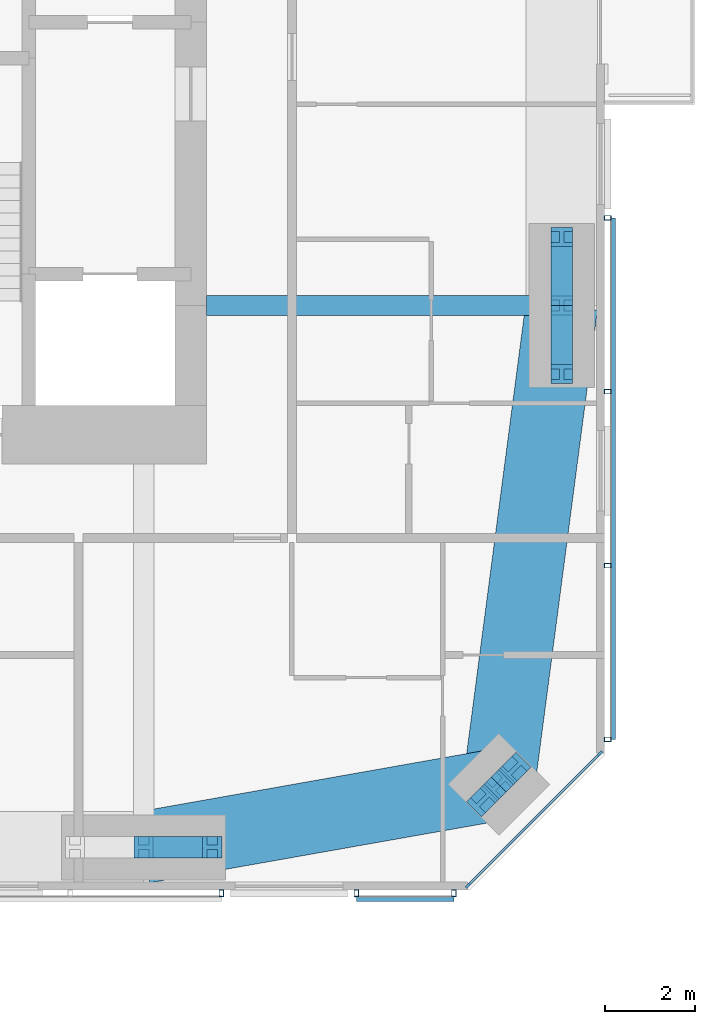
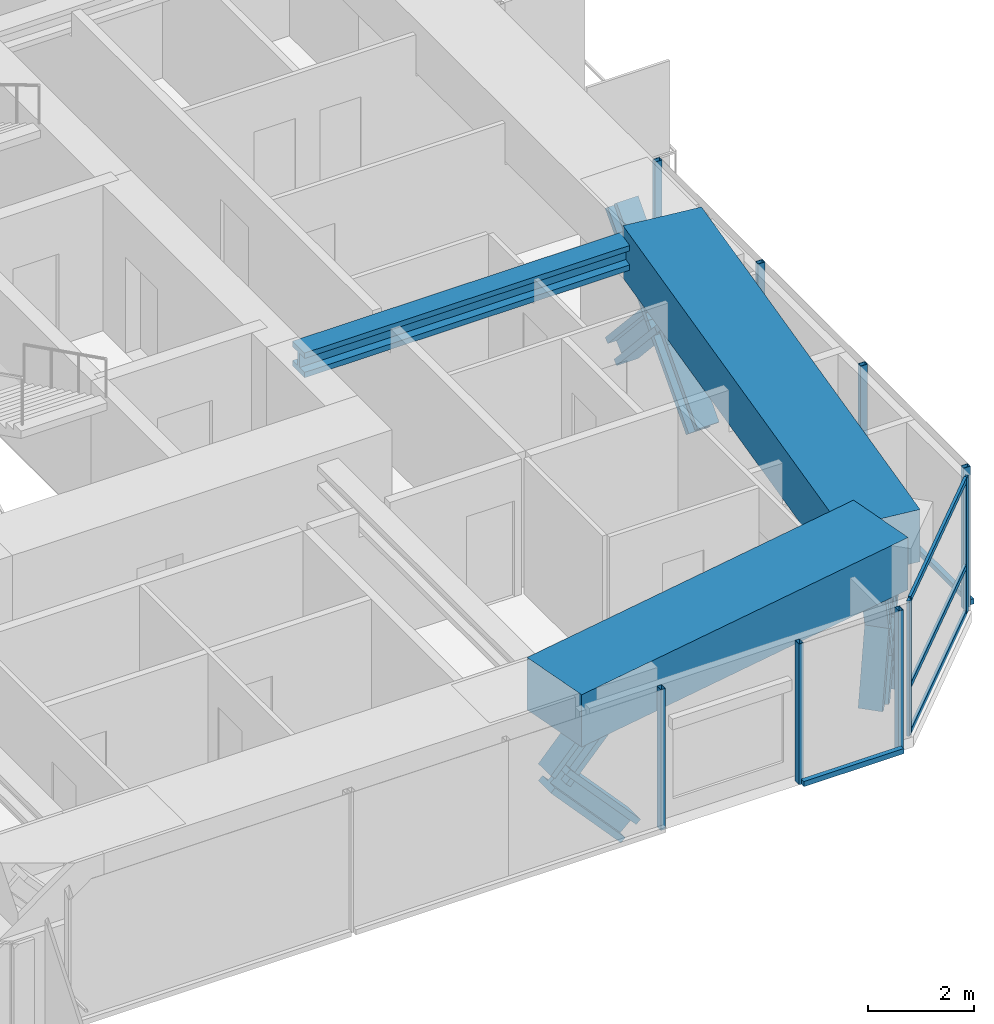
# One storey, part 7 of 23: 24 members, 3 beams, 4 elements without a shape of their own.
"""IFC4 building model written with IfcOpenShell, lengths in metres."""

from ifc_helpers import new_model, si_unit, direction, frame, origin, origin_2d, place, context, subcontext, project, spatial, rectangle, hollow_rectangle, i_section, extrude, material, material_profile, profile_set, type_object, element, aggregate, save


model = new_model("IFC4")

# Units and contexts
model_context = context("Model", 3, precision=1e-05, world=origin(), true_north=direction((0.0, 1.0)))
body_context = subcontext(model_context, "Body", "Model", "MODEL_VIEW")
ifc_project = project(units=[si_unit("LENGTHUNIT", "METRE"), si_unit("AREAUNIT", "SQUARE_METRE"), si_unit("VOLUMEUNIT", "CUBIC_METRE"), si_unit("PLANEANGLEUNIT", "RADIAN"), si_unit("MASSUNIT", "GRAM", prefix="KILO")], contexts=[model_context])

# Site, building, storey
site_placement = place(None, origin())
site = spatial("IfcSite", under=ifc_project, at=site_placement, CompositionType="ELEMENT")
building_placement = place(site_placement, origin())
building = spatial("IfcBuilding", under=site, at=building_placement, Name="Jalousie Tower", CompositionType="ELEMENT")
storey_placement = place(building_placement, frame((0.0, 0.0, 197.89990234375)))
storey = spatial("IfcBuildingStorey", under=building, at=storey_placement, Name="L54", CompositionType="ELEMENT", Elevation=197.89990234375)

# Curtain wall, members
ifc_material_1 = material(Name="Aluminium curtain wall", Category="aluminium")
curtain_wall_type_1 = type_object("IfcCurtainWallType", Name="CORNER WINDOW WALL", PredefinedType="USERDEFINED", material=ifc_material_1)
curtain_wall_1_placement = place(storey_placement, origin())
curtain_wall_1 = element("IfcCurtainWall", 1, at=curtain_wall_1_placement, inside=storey, type_object=curtain_wall_type_1, Name="Corner Window Wall L54 2", ObjectType="CORNER WINDOW WALL", PredefinedType="USERDEFINED")
ifc_material_2 = material(Name="Aluminium mullion", Category="aluminium")
ifc_material_profile_1 = material_profile(ifc_material_2, rectangle(XDim=0.06005859375, YDim=0.14990234375, at=origin_2d()), Name="MULLION 60x150")
ifc_profile_set_1 = profile_set([ifc_material_profile_1], Name="Aluminium mullion")
member_type_1 = type_object("IfcMemberType", Name="CORNER WINDOW WALL MULLION", PredefinedType="MULLION", material=ifc_profile_set_1)
member_1_placement = place(storey_placement, frame((49.969970703125, 0.108642578125, 0.0), z_axis=(0.0, 0.0, 1.0), x_axis=(-0.707106781187, 0.707106781187, 0.0)))
member_1 = element("IfcMember", 2, at=member_1_placement, type_object=member_type_1, Name="CW-C mullion 1", PredefinedType="MULLION", context=body_context, shape_type="SweptSolid", body=[
    extrude(rectangle(XDim=0.06005859375, YDim=0.14990234375, at=origin_2d()), origin(), (0.0, 0.0, 1.0), 3.110107421875),
])
member_2_placement = place(storey_placement, frame((52.891357421875, 3.030029296875, 0.0), z_axis=(0.0, 0.0, 1.0), x_axis=(-0.707106781187, 0.707106781187, 0.0)))
member_2 = element("IfcMember", 3, at=member_2_placement, type_object=member_type_1, Name="CW-C mullion 2", PredefinedType="MULLION", context=body_context, shape_type="SweptSolid", body=[
    extrude(rectangle(XDim=0.06005859375, YDim=0.14990234375, at=origin_2d()), origin(), (0.0, 0.0, 1.0), 3.110107421875),
])
ifc_material_3 = material(Name="Aluminium transom", Category="aluminium")
ifc_material_profile_2 = material_profile(ifc_material_3, rectangle(XDim=0.06005859375, YDim=0.1201171875, at=origin_2d()), Name="TRANSOM 60x120")
ifc_profile_set_2 = profile_set([ifc_material_profile_2], Name="Aluminium transom")
member_type_2 = type_object("IfcMemberType", Name="CORNER WINDOW WALL TRANSOM", PredefinedType="USERDEFINED", material=ifc_profile_set_2)
member_3_placement = place(storey_placement, frame((49.9912109375, 0.1298828125, 0.030029296875), z_axis=(0.707106781187, 0.707106781187, 0.0), x_axis=(-0.707106781187, 0.707106781187, 0.0)))
member_3 = element("IfcMember", 4, at=member_3_placement, type_object=member_type_2, Name="CW-C transom 1.1", ObjectType="TRANSOM", PredefinedType="USERDEFINED", context=body_context, shape_type="SweptSolid", body=[
    extrude(rectangle(XDim=0.06005859375, YDim=0.1201171875, at=origin_2d()), origin(), (0.0, 0.0, 1.0), 4.0712890625),
])
member_4_placement = place(storey_placement, frame((49.9912109375, 0.1298828125, 1.10009765625), z_axis=(0.707106781187, 0.707106781187, 0.0), x_axis=(-0.707106781187, 0.707106781187, 0.0)))
member_4 = element("IfcMember", 5, at=member_4_placement, type_object=member_type_2, Name="CW-C transom 1.2", ObjectType="TRANSOM", PredefinedType="USERDEFINED", context=body_context, shape_type="SweptSolid", body=[
    extrude(rectangle(XDim=0.06005859375, YDim=0.1201171875, at=origin_2d()), origin(), (0.0, 0.0, 1.0), 4.0712890625),
])
member_5_placement = place(storey_placement, frame((49.9912109375, 0.1298828125, 3.080078125), z_axis=(0.707106781187, 0.707106781187, 0.0), x_axis=(-0.707106781187, 0.707106781187, 0.0)))
member_5 = element("IfcMember", 6, at=member_5_placement, type_object=member_type_2, Name="CW-C transom 1.3", ObjectType="TRANSOM", PredefinedType="USERDEFINED", context=body_context, shape_type="SweptSolid", body=[
    extrude(rectangle(XDim=0.06005859375, YDim=0.1201171875, at=origin_2d()), origin(), (0.0, 0.0, 1.0), 4.0712890625),
])
aggregate(curtain_wall_1, [member_1, member_2, member_3, member_4, member_5])

# Beam
ifc_material_4 = material(Name="Steel ASTM A992 Grade 50", Category="steel")
ifc_material_profile_3 = material_profile(ifc_material_4, i_section(OverallWidth=0.45458984375, OverallDepth=0.569091796875, WebThickness=0.077880859375, FlangeThickness=0.124755859375, at=origin_2d()), Name="W14X730")
ifc_profile_set_3 = profile_set([ifc_material_profile_3], Name="Steel ASTM A992 Grade 50")
beam_type_1 = type_object("IfcBeamType", Name="LEAN COLLECTOR W14X730", PredefinedType="BEAM", material=ifc_profile_set_3)
beam_1_placement = place(storey_placement, frame((52.050048828125, 13.0, 2.82568359375), z_axis=(-1.0, 0.0, 0.0), x_axis=(0.0, -1.0, 0.0)))
element("IfcBeam", 7, at=beam_1_placement, inside=storey, type_object=beam_type_1, Name="Lean collector under L55", PredefinedType="BEAM", context=body_context, shape_type="SweptSolid", body=[
    extrude(i_section(OverallWidth=0.45458984375, OverallDepth=0.569091796875, WebThickness=0.077880859375, FlangeThickness=0.124755859375, at=origin_2d()), origin(), (0.0, 0.0, 1.0), 7.900146484375),
])

# Members
ifc_material_5 = material(Name="Steel ASTM A992 Grade 50", Category="steel")
ifc_material_profile_4 = material_profile(ifc_material_5, i_section(OverallWidth=0.472412109375, OverallDepth=0.5791015625, WebThickness=0.094970703125, FlangeThickness=0.1298828125, at=origin_2d()), Name="W14X808")
ifc_profile_set_4 = profile_set([ifc_material_profile_4], Name="Steel ASTM A992 Grade 50")
member_type_3 = type_object("IfcMemberType", Name="PERIMETER BRACE W14X808", PredefinedType="BRACE", material=ifc_profile_set_4)
for number, where, z_axis, x_axis, name in (
    (8, (42.75, 0.949951171875, 1.0751953125), (0.673241284601, 0.0, 0.739422864611), (0.0, 1.0, 0.0), "Perimeter brace 04 L54 part 2"),
    (9, (44.27490234375, 0.949951171875, -0.599853515625), (-0.673187629365, 0.0, 0.739471713908), (0.0, -1.0, 0.0), "Perimeter brace 04 L54 part 3"),
):
    element("IfcMember", number, at=place(storey_placement, frame(where, z_axis=z_axis, x_axis=x_axis)), inside=storey, type_object=member_type_3, Name=name, PredefinedType="BRACE", context=body_context, shape_type="SweptSolid", body=[
        extrude(i_section(OverallWidth=0.472412109375, OverallDepth=0.5791015625, WebThickness=0.094970703125, FlangeThickness=0.1298828125, at=origin_2d()), origin(), (0.0, 0.0, 1.0), 2.26513671875),
    ])
member_6_placement = place(storey_placement, frame((50.2978515625, 1.9951171875, -0.599853515625), z_axis=(0.202372069365, 0.202092742837, 0.958229653493), x_axis=(-0.706618279267, 0.707594945859, 0.0)))
element("IfcMember", 10, at=member_6_placement, inside=storey, type_object=member_type_3, Name="Perimeter brace 05 L54 part 1", PredefinedType="BRACE", context=body_context, shape_type="SweptSolid", body=[
    extrude(i_section(OverallWidth=0.472412109375, OverallDepth=0.5791015625, WebThickness=0.094970703125, FlangeThickness=0.1298828125, at=origin_2d()), origin(), (0.0, 0.0, 1.0), 1.748046875),
])
member_7_placement = place(storey_placement, frame((50.651611328125, 2.348388671875, 1.0751953125), z_axis=(0.202119792263, 0.202399156177, 0.958218227313), x_axis=(-0.707594945859, 0.706618279267, 0.0)))
element("IfcMember", 11, at=member_7_placement, inside=storey, type_object=member_type_3, Name="Perimeter brace 05 L54 part 2", PredefinedType="BRACE", context=body_context, shape_type="SweptSolid", body=[
    extrude(i_section(OverallWidth=0.472412109375, OverallDepth=0.5791015625, WebThickness=0.094970703125, FlangeThickness=0.1298828125, at=origin_2d()), origin(), (0.0, 0.0, 1.0), 1.747802734375),
])
member_8_placement = place(storey_placement, frame((51.0048828125, 2.7021484375, -0.599853515625), z_axis=(-0.202092742837, -0.202372069365, 0.958229653493), x_axis=(0.707594945859, -0.706618279267, 0.0)))
element("IfcMember", 12, at=member_8_placement, inside=storey, type_object=member_type_3, Name="Perimeter brace 05 L54 part 3", PredefinedType="BRACE", context=body_context, shape_type="SweptSolid", body=[
    extrude(i_section(OverallWidth=0.472412109375, OverallDepth=0.5791015625, WebThickness=0.094970703125, FlangeThickness=0.1298828125, at=origin_2d()), origin(), (0.0, 0.0, 1.0), 1.748046875),
])
member_9_placement = place(storey_placement, frame((50.651611328125, 2.348388671875, 1.0751953125), z_axis=(-0.202399156177, -0.202119792263, 0.958218227313), x_axis=(0.706618279267, -0.707594945859, 0.0)))
element("IfcMember", 13, at=member_9_placement, inside=storey, type_object=member_type_3, Name="Perimeter brace 05 L54 part 4", PredefinedType="BRACE", context=body_context, shape_type="SweptSolid", body=[
    extrude(i_section(OverallWidth=0.472412109375, OverallDepth=0.5791015625, WebThickness=0.094970703125, FlangeThickness=0.1298828125, at=origin_2d()), origin(), (0.0, 0.0, 1.0), 1.747802734375),
])
for number, where, z_axis, x_axis, name in (
    (14, (52.050048828125, 11.47509765625, -0.599853515625), (0.0, 0.673187629365, 0.739471713908), (-1.0, 0.0, 0.0), "Perimeter brace 06 L54 part 1"),
    (15, (52.050048828125, 13.0, 1.0751953125), (0.0, 0.673241284601, 0.739422864611), (-1.0, 0.0, 0.0), "Perimeter brace 06 L54 part 2"),
    (16, (52.050048828125, 14.52490234375, -0.599853515625), (0.0, -0.673187629365, 0.739471713908), (1.0, 0.0, 0.0), "Perimeter brace 06 L54 part 3"),
    (17, (52.050048828125, 13.0, 1.0751953125), (0.0, -0.673241284601, 0.739422864611), (1.0, 0.0, 0.0), "Perimeter brace 06 L54 part 4"),
):
    element("IfcMember", number, at=place(storey_placement, frame(where, z_axis=z_axis, x_axis=x_axis)), inside=storey, type_object=member_type_3, Name=name, PredefinedType="BRACE", context=body_context, shape_type="SweptSolid", body=[
        extrude(i_section(OverallWidth=0.472412109375, OverallDepth=0.5791015625, WebThickness=0.094970703125, FlangeThickness=0.1298828125, at=origin_2d()), origin(), (0.0, 0.0, 1.0), 2.26513671875),
    ])

# Beams
ifc_material_6 = material(Name="Concrete f'c 40 MPa", Category="concrete")
ifc_material_profile_5 = material_profile(ifc_material_6, rectangle(XDim=1.60009765625, YDim=1.199951171875, at=origin_2d()), Name="RC 1600x1200")
ifc_profile_set_5 = profile_set([ifc_material_profile_5], Name="Concrete f'c 40 MPa")
beam_type_2 = type_object("IfcBeamType", Name="RC BEAM 1600x1200", PredefinedType="BEAM", material=ifc_profile_set_5)
beam_2_placement = place(storey_placement, frame((42.75, 0.949951171875, 2.75), z_axis=(0.984697370688, 0.174273027632, 0.0), x_axis=(-0.174273027632, 0.984697370688, 0.0)))
element("IfcBeam", 18, at=beam_2_placement, inside=storey, type_object=beam_type_2, Name="Edge band beam 04-05 under L55", PredefinedType="BEAM", context=body_context, shape_type="SweptSolid", body=[
    extrude(rectangle(XDim=1.60009765625, YDim=1.199951171875, at=origin_2d()), origin(), (0.0, 0.0, 1.0), 8.0244140625),
])
beam_3_placement = place(storey_placement, frame((50.651611328125, 2.348388671875, 2.75), z_axis=(0.130171745558, 0.991491460709, 0.0), x_axis=(-0.991491460709, 0.130171745558, 0.0)))
element("IfcBeam", 19, at=beam_3_placement, inside=storey, type_object=beam_type_2, Name="Edge band beam 05-06 under L55", PredefinedType="BEAM", context=body_context, shape_type="SweptSolid", body=[
    extrude(rectangle(XDim=1.60009765625, YDim=1.199951171875, at=origin_2d()), origin(), (0.0, 0.0, 1.0), 10.742919921875),
])

# Curtain wall, member
ifc_material_7 = material(Name="Perforated aluminium sheet", Category="aluminium")
curtain_wall_type_2 = type_object("IfcCurtainWallType", Name="SOLAR SCREEN SS-1", PredefinedType="USERDEFINED", material=ifc_material_7)
curtain_wall_2_placement = place(storey_placement, origin())
curtain_wall_2 = element("IfcCurtainWall", 20, at=curtain_wall_2_placement, inside=storey, type_object=curtain_wall_type_2, Name="Solar screen L54", ObjectType="SOLAR SCREEN SS-1", PredefinedType="USERDEFINED")
ifc_material_8 = material(Name="Steel ASTM A500 Grade C", Category="steel")
ifc_material_profile_6 = material_profile(ifc_material_8, hollow_rectangle(XDim=0.1015625, YDim=0.15234375, WallThickness=0.00634765625, at=origin_2d()), Name="HSS6X4X1/4")
ifc_profile_set_6 = profile_set([ifc_material_profile_6], Name="Steel ASTM A500 Grade C")
member_type_4 = type_object("IfcMemberType", Name="SOLAR SCREEN SS-1 MULLION", PredefinedType="MULLION", material=ifc_profile_set_6)
member_10_placement = place(storey_placement, frame((44.481201171875, -0.0712890625, -0.119873046875), z_axis=(0.0, 0.0, 1.0), x_axis=(1.0, 0.0, 0.0)))
member_10 = element("IfcMember", 21, at=member_10_placement, type_object=member_type_4, Name="SS1 post 3", PredefinedType="MULLION", context=body_context, shape_type="SweptSolid", body=[
    extrude(hollow_rectangle(XDim=0.1015625, YDim=0.15234375, WallThickness=0.00634765625, at=origin_2d()), origin(), (0.0, 0.0, 1.0), 3.22998046875),
])
aggregate(curtain_wall_2, [member_10])

# Curtain wall, members
curtain_wall_3_placement = place(storey_placement, origin())
curtain_wall_3 = element("IfcCurtainWall", 22, at=curtain_wall_3_placement, inside=storey, type_object=curtain_wall_type_2, Name="Solar screen L54", ObjectType="SOLAR SCREEN SS-1", PredefinedType="USERDEFINED")
member_11_placement = place(storey_placement, frame((47.481201171875, -0.0712890625, -0.119873046875), z_axis=(0.0, 0.0, 1.0), x_axis=(1.0, 0.0, 0.0)))
member_11 = element("IfcMember", 23, at=member_11_placement, type_object=member_type_4, Name="SS1 post 1", PredefinedType="MULLION", context=body_context, shape_type="SweptSolid", body=[
    extrude(hollow_rectangle(XDim=0.1015625, YDim=0.15234375, WallThickness=0.00634765625, at=origin_2d()), origin(), (0.0, 0.0, 1.0), 3.22998046875),
])
member_12_placement = place(storey_placement, frame((49.648681640625, -0.0712890625, -0.119873046875), z_axis=(0.0, 0.0, 1.0), x_axis=(1.0, 0.0, 0.0)))
member_12 = element("IfcMember", 24, at=member_12_placement, type_object=member_type_4, Name="SS1 post 2", PredefinedType="MULLION", context=body_context, shape_type="SweptSolid", body=[
    extrude(hollow_rectangle(XDim=0.1015625, YDim=0.15234375, WallThickness=0.00634765625, at=origin_2d()), origin(), (0.0, 0.0, 1.0), 3.22998046875),
])

curtain_wall_4_placement = place(storey_placement, origin())
curtain_wall_4 = element("IfcCurtainWall", 25, at=curtain_wall_4_placement, inside=storey, type_object=curtain_wall_type_2, Name="Solar screen L54", ObjectType="SOLAR SCREEN SS-1", PredefinedType="USERDEFINED")
member_13_placement = place(storey_placement, frame((53.0712890625, 3.351318359375, -0.119873046875), z_axis=(0.0, 0.0, 1.0), x_axis=(0.0, 1.0, 0.0)))
member_13 = element("IfcMember", 26, at=member_13_placement, type_object=member_type_4, Name="SS1 post 1", PredefinedType="MULLION", context=body_context, shape_type="SweptSolid", body=[
    extrude(hollow_rectangle(XDim=0.1015625, YDim=0.15234375, WallThickness=0.00634765625, at=origin_2d()), origin(), (0.0, 0.0, 1.0), 3.22998046875),
])
member_14_placement = place(storey_placement, frame((53.0712890625, 7.217529296875, -0.119873046875), z_axis=(0.0, 0.0, 1.0), x_axis=(0.0, 1.0, 0.0)))
member_14 = element("IfcMember", 27, at=member_14_placement, type_object=member_type_4, Name="SS1 post 2", PredefinedType="MULLION", context=body_context, shape_type="SweptSolid", body=[
    extrude(hollow_rectangle(XDim=0.1015625, YDim=0.15234375, WallThickness=0.00634765625, at=origin_2d()), origin(), (0.0, 0.0, 1.0), 3.22998046875),
])
member_15_placement = place(storey_placement, frame((53.0712890625, 11.083740234375, -0.119873046875), z_axis=(0.0, 0.0, 1.0), x_axis=(0.0, 1.0, 0.0)))
member_15 = element("IfcMember", 28, at=member_15_placement, type_object=member_type_4, Name="SS1 post 3", PredefinedType="MULLION", context=body_context, shape_type="SweptSolid", body=[
    extrude(hollow_rectangle(XDim=0.1015625, YDim=0.15234375, WallThickness=0.00634765625, at=origin_2d()), origin(), (0.0, 0.0, 1.0), 3.22998046875),
])
member_16_placement = place(storey_placement, frame((53.0712890625, 14.949951171875, -0.119873046875), z_axis=(0.0, 0.0, 1.0), x_axis=(0.0, 1.0, 0.0)))
member_16 = element("IfcMember", 29, at=member_16_placement, type_object=member_type_4, Name="SS1 post 4", PredefinedType="MULLION", context=body_context, shape_type="SweptSolid", body=[
    extrude(hollow_rectangle(XDim=0.1015625, YDim=0.15234375, WallThickness=0.00634765625, at=origin_2d()), origin(), (0.0, 0.0, 1.0), 3.22998046875),
])

# Member
ifc_material_9 = material(Name="Extruded aluminium screen rail", Category="aluminium")
ifc_material_profile_7 = material_profile(ifc_material_9, rectangle(XDim=0.1015625, YDim=0.1201171875, at=origin_2d()), Name="RAIL 102x120")
ifc_profile_set_7 = profile_set([ifc_material_profile_7], Name="Extruded aluminium screen rail")
member_type_5 = type_object("IfcMemberType", Name="SOLAR SCREEN SS-1 TRANSOM", PredefinedType="USERDEFINED", material=ifc_profile_set_7)
member_17_placement = place(storey_placement, frame((47.481201171875, -0.1982421875, -0.059814453125), z_axis=(1.0, 0.0, 0.0), x_axis=(0.0, 1.0, 0.0)))
member_17 = element("IfcMember", 30, at=member_17_placement, type_object=member_type_5, Name="SS1 rail", ObjectType="TRANSOM", PredefinedType="USERDEFINED", context=body_context, shape_type="SweptSolid", body=[
    extrude(rectangle(XDim=0.1015625, YDim=0.1201171875, at=origin_2d()), origin(), (0.0, 0.0, 1.0), 2.16748046875),
])

aggregate(curtain_wall_3, [member_11, member_12, member_17])

member_18_placement = place(storey_placement, frame((53.1982421875, 3.351318359375, -0.059814453125), z_axis=(0.0, 1.0, 0.0), x_axis=(-1.0, 0.0, 0.0)))
member_18 = element("IfcMember", 31, at=member_18_placement, type_object=member_type_5, Name="SS1 rail", ObjectType="TRANSOM", PredefinedType="USERDEFINED", context=body_context, shape_type="SweptSolid", body=[
    extrude(rectangle(XDim=0.1015625, YDim=0.1201171875, at=origin_2d()), origin(), (0.0, 0.0, 1.0), 11.5986328125),
])

aggregate(curtain_wall_4, [member_13, member_14, member_15, member_16, member_18])

save(model, "model.ifc")
